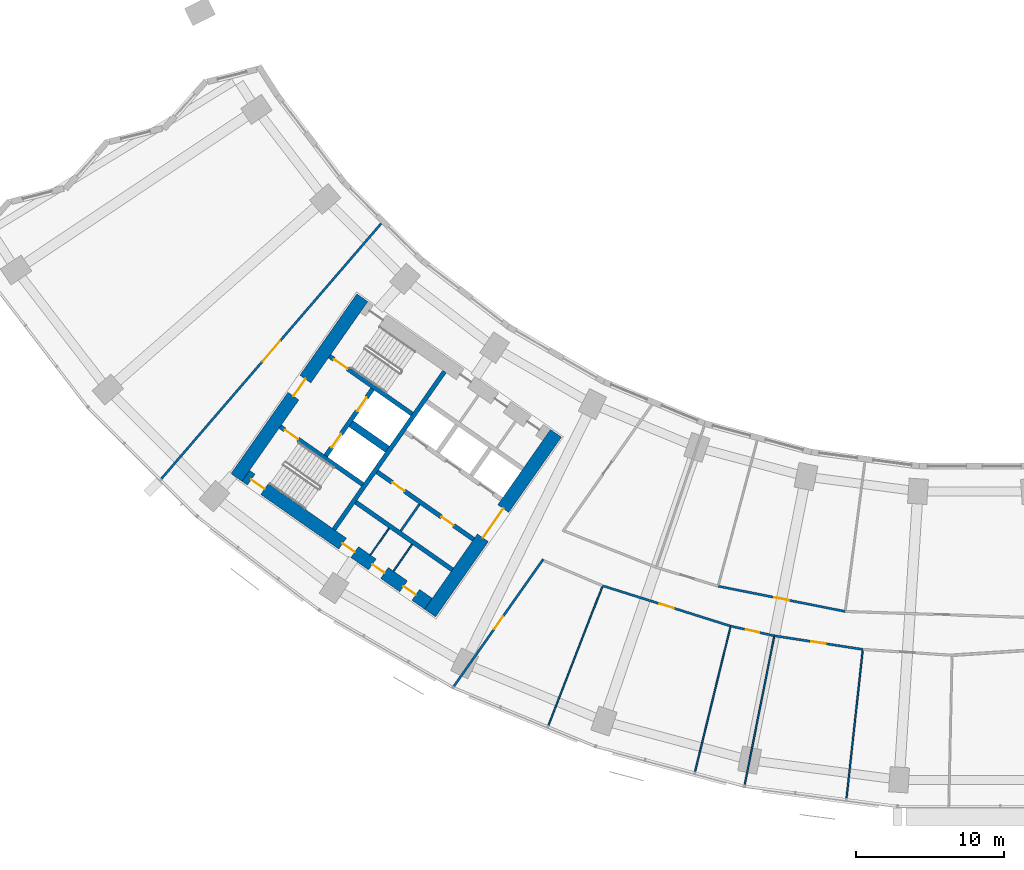
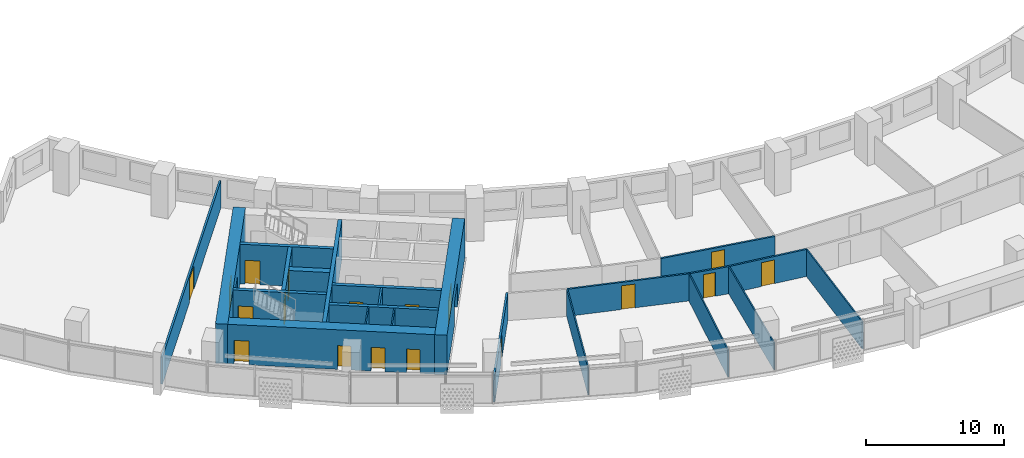
# One storey, part 3 of 31: 23 walls, 18 doors, 18 openings.
"""IFC4 building model written with IfcOpenShell, lengths in metres."""

from ifc_helpers import new_model, si_unit, direction, frame, frame_2d, origin, place, context, subcontext, project, spatial, rectangle, extrude, material, layer, layer_set, type_object, element, fill, save


model = new_model("IFC4")

# Units and contexts
model_context = context("Model", 3, precision=1e-05, world=origin(), true_north=direction((0.0, 1.0)))
body_context = subcontext(model_context, "Body", "Model", "MODEL_VIEW")
ifc_project = project(units=[si_unit("LENGTHUNIT", "METRE"), si_unit("AREAUNIT", "SQUARE_METRE"), si_unit("VOLUMEUNIT", "CUBIC_METRE"), si_unit("PLANEANGLEUNIT", "RADIAN"), si_unit("MASSUNIT", "GRAM", prefix="KILO")], contexts=[model_context])

# Site, building, storey
site_placement = place(None, origin())
site = spatial("IfcSite", under=ifc_project, at=site_placement, CompositionType="ELEMENT")
building_placement = place(site_placement, origin())
building = spatial("IfcBuilding", under=site, at=building_placement, Name="Qamariyya Broadcast Tower", CompositionType="ELEMENT")
storey_placement = place(building_placement, frame((0.0, 0.0, 74.699951171875)))
storey = spatial("IfcBuildingStorey", under=building, at=storey_placement, Name="L15", CompositionType="ELEMENT", Elevation=74.699951171875)

# Wall, opening, door
ifc_material_1 = material(Name="Concrete C70/85", Category="concrete")
ifc_layer_1 = layer(ifc_material_1, 0.89990234375)
ifc_layer_set_1 = layer_set([ifc_layer_1], Name="Core wall 900 mm Concrete C70/85")
wall_type_1 = type_object("IfcWallType", Name="Core wall 900 mm Concrete C70/85", PredefinedType="SHEAR", material=ifc_layer_set_1)
wall_1_placement = place(storey_placement, frame((-36.716796875, -66.3369140625, 0.0), z_axis=(0.0, 0.0, 1.0), x_axis=(0.573577477574, 0.819151315216, 0.0)))
wall_1 = element("IfcWall", 1, at=wall_1_placement, inside=storey, type_object=wall_type_1, Name="k-W-L15-WA", PredefinedType="SHEAR", context=body_context, shape_type="SweptSolid", body=[
    extrude(rectangle(XDim=14.800048828125, YDim=0.89990234375, at=frame_2d((7.39990234375, 0.0))), origin(), (0.0, 0.0, 1.0), 3.5),
])
opening_1_placement = place(wall_1_placement, frame((6.199951171875, 0.0, 0.0)))
opening_1 = element("IfcOpeningElement", 2, at=opening_1_placement, cuts=wall_1, Name="Opening KD3-W1", PredefinedType="OPENING", context=body_context, shape_type="SweptSolid", body=[
    extrude(rectangle(XDim=2.39990234375, YDim=2.10009765625, at=frame_2d((1.199951171875, 1.050048828125))), frame((0.0, 0.4599609375, 0.0), z_axis=(0.0, -1.0, 0.0), x_axis=(1.0, 0.0, 0.0)), (0.0, 0.0, 1.0), 0.919921875),
])
ifc_material_2 = material(Name="Steel fire-resisting door leaf", Category="steel")
door_type_1 = type_object("IfcDoorType", Name="Lift lobby door KD3", OperationType="DOUBLE_DOOR_SINGLE_SWING", PredefinedType="DOOR", material=ifc_material_2)
door_1_placement = place(opening_1_placement, origin())
door_1 = element("IfcDoor", 3, at=door_1_placement, inside=storey, type_object=door_type_1, Name="k-W-L15-WA-D1", OperationType="DOUBLE_DOOR_SINGLE_SWING", OverallHeight=2.10009765625, OverallWidth=2.39990234375, PredefinedType="DOOR", context=body_context, shape_type="SweptSolid", body=[
    extrude(rectangle(XDim=2.39990234375, YDim=2.10009765625, at=frame_2d((1.199951171875, 1.050048828125))), frame((0.0, 0.02490234375, 0.0), z_axis=(0.0, -1.0, 0.0), x_axis=(1.0, 0.0, 0.0)), (0.0, 0.0, 1.0), 0.050048828125),
])
fill(opening_1, door_1)

wall_2_placement = place(storey_placement, frame((-49.778564453125, -57.191162109375, 0.0), z_axis=(0.0, 0.0, 1.0), x_axis=(0.573577477574, 0.819151315216, 0.0)))
wall_2 = element("IfcWall", 4, at=wall_2_placement, inside=storey, type_object=wall_type_1, Name="k-W-L15-WH", PredefinedType="SHEAR", context=body_context, shape_type="SweptSolid", body=[
    extrude(rectangle(XDim=14.800048828125, YDim=0.89990234375, at=frame_2d((7.39990234375, 0.0))), origin(), (0.0, 0.0, 1.0), 3.5),
])
opening_2_placement = place(wall_2_placement, frame((6.699951171875, 0.0, 0.0)))
opening_2 = element("IfcOpeningElement", 5, at=opening_2_placement, cuts=wall_2, Name="Opening KD2-W1", PredefinedType="OPENING", context=body_context, shape_type="SweptSolid", body=[
    extrude(rectangle(XDim=1.39990234375, YDim=2.10009765625, at=frame_2d((0.699951171875, 1.050048828125))), frame((0.0, 0.4599609375, 0.0), z_axis=(0.0, -1.0, 0.0), x_axis=(1.0, 0.0, 0.0)), (0.0, 0.0, 1.0), 0.919921875),
])
door_type_2 = type_object("IfcDoorType", Name="Fire-fighting lobby door KD2", OperationType="DOUBLE_DOOR_SINGLE_SWING", PredefinedType="DOOR", material=ifc_material_2)
door_2_placement = place(opening_2_placement, origin())
door_2 = element("IfcDoor", 6, at=door_2_placement, inside=storey, type_object=door_type_2, Name="k-W-L15-WH-D15", OperationType="DOUBLE_DOOR_SINGLE_SWING", OverallHeight=2.10009765625, OverallWidth=1.39990234375, PredefinedType="DOOR", context=body_context, shape_type="SweptSolid", body=[
    extrude(rectangle(XDim=1.39990234375, YDim=2.10009765625, at=frame_2d((0.699951171875, 1.050048828125))), frame((0.0, 0.02490234375, 0.0), z_axis=(0.0, -1.0, 0.0), x_axis=(1.0, 0.0, 0.0)), (0.0, 0.0, 1.0), 0.050048828125),
])
fill(opening_2, door_2)

# Wall, openings, doors
wall_3_placement = place(storey_placement, frame((-36.827392578125, -65.710205078125, 0.0), z_axis=(0.0, 0.0, 1.0), x_axis=(-0.819153391756, 0.573574511963, 0.0)))
wall_3 = element("IfcWall", 7, at=wall_3_placement, inside=storey, type_object=wall_type_1, Name="k-W-L15-WO", PredefinedType="SHEAR", context=body_context, shape_type="SweptSolid", body=[
    extrude(rectangle(XDim=15.04541015625, YDim=0.89990234375, at=frame_2d((7.522705078125, 0.0))), origin(), (0.0, 0.0, 1.0), 3.5),
])
opening_3_placement = place(wall_3_placement, frame((1.050048828125, 0.0, 0.0)))
opening_3 = element("IfcOpeningElement", 8, at=opening_3_placement, cuts=wall_3, Name="Opening KD4-W2", PredefinedType="OPENING", context=body_context, shape_type="SweptSolid", body=[
    extrude(rectangle(XDim=1.0, YDim=2.10009765625, at=frame_2d((0.5, 1.050048828125))), frame((0.0, 0.4599609375, 0.0), z_axis=(0.0, -1.0, 0.0), x_axis=(1.0, 0.0, 0.0)), (0.0, 0.0, 1.0), 0.919921875),
])
opening_4_placement = place(wall_3_placement, frame((3.625, 0.0, 0.0)))
opening_4 = element("IfcOpeningElement", 9, at=opening_4_placement, cuts=wall_3, Name="Opening KD4-W3", PredefinedType="OPENING", context=body_context, shape_type="SweptSolid", body=[
    extrude(rectangle(XDim=1.0, YDim=2.10009765625, at=frame_2d((0.5, 1.050048828125))), frame((0.0, 0.4599609375, 0.0), z_axis=(0.0, -1.0, 0.0), x_axis=(1.0, 0.0, 0.0)), (0.0, 0.0, 1.0), 0.919921875),
])
opening_5_placement = place(wall_3_placement, frame((6.074951171875, 0.0, 0.0)))
opening_5 = element("IfcOpeningElement", 10, at=opening_5_placement, cuts=wall_3, Name="Opening KD6-W3", PredefinedType="OPENING", context=body_context, shape_type="SweptSolid", body=[
    extrude(rectangle(XDim=1.0, YDim=2.10009765625, at=frame_2d((0.5, 1.050048828125))), frame((0.0, 0.4599609375, 0.0), z_axis=(0.0, -1.0, 0.0), x_axis=(1.0, 0.0, 0.0)), (0.0, 0.0, 1.0), 0.919921875),
])
opening_6_placement = place(wall_3_placement, frame((13.495361328125, 0.0, 0.0)))
opening_6 = element("IfcOpeningElement", 11, at=opening_6_placement, cuts=wall_3, Name="Opening KD1-W3", PredefinedType="OPENING", context=body_context, shape_type="SweptSolid", body=[
    extrude(rectangle(XDim=1.10009765625, YDim=2.10009765625, at=frame_2d((0.550048828125, 1.050048828125))), frame((0.0, 0.4599609375, 0.0), z_axis=(0.0, -1.0, 0.0), x_axis=(1.0, 0.0, 0.0)), (0.0, 0.0, 1.0), 0.919921875),
])
door_type_3 = type_object("IfcDoorType", Name="Core room door KD6", OperationType="SINGLE_SWING_LEFT", PredefinedType="DOOR", material=ifc_material_2)
door_3_placement = place(opening_5_placement, origin())
door_3 = element("IfcDoor", 12, at=door_3_placement, inside=storey, type_object=door_type_3, Name="k-W-L15-WO-D12", OperationType="SINGLE_SWING_LEFT", OverallHeight=2.10009765625, OverallWidth=1.0, PredefinedType="DOOR", context=body_context, shape_type="SweptSolid", body=[
    extrude(rectangle(XDim=1.0, YDim=2.10009765625, at=frame_2d((0.5, 1.050048828125))), frame((0.0, 0.02490234375, 0.0), z_axis=(0.0, -1.0, 0.0), x_axis=(1.0, 0.0, 0.0)), (0.0, 0.0, 1.0), 0.050048828125),
])
fill(opening_5, door_3)
door_type_4 = type_object("IfcDoorType", Name="Riser and plant door KD4", OperationType="SINGLE_SWING_LEFT", PredefinedType="DOOR", material=ifc_material_2)
door_4_placement = place(opening_3_placement, origin())
door_4 = element("IfcDoor", 13, at=door_4_placement, inside=storey, type_object=door_type_4, Name="k-W-L15-WO-D10", OperationType="SINGLE_SWING_LEFT", OverallHeight=2.10009765625, OverallWidth=1.0, PredefinedType="DOOR", context=body_context, shape_type="SweptSolid", body=[
    extrude(rectangle(XDim=1.0, YDim=2.10009765625, at=frame_2d((0.5, 1.050048828125))), frame((0.0, 0.02490234375, 0.0), z_axis=(0.0, -1.0, 0.0), x_axis=(1.0, 0.0, 0.0)), (0.0, 0.0, 1.0), 0.050048828125),
])
fill(opening_3, door_4)
door_5_placement = place(opening_4_placement, origin())
door_5 = element("IfcDoor", 14, at=door_5_placement, inside=storey, type_object=door_type_4, Name="k-W-L15-WO-D11", OperationType="SINGLE_SWING_RIGHT", OverallHeight=2.10009765625, OverallWidth=1.0, PredefinedType="DOOR", context=body_context, shape_type="SweptSolid", body=[
    extrude(rectangle(XDim=1.0, YDim=2.10009765625, at=frame_2d((0.5, 1.050048828125))), frame((0.0, 0.02490234375, 0.0), z_axis=(0.0, -1.0, 0.0), x_axis=(1.0, 0.0, 0.0)), (0.0, 0.0, 1.0), 0.050048828125),
])
fill(opening_4, door_5)
door_type_5 = type_object("IfcDoorType", Name="Stair door KD1", OperationType="SINGLE_SWING_LEFT", PredefinedType="DOOR", material=ifc_material_2)
door_6_placement = place(opening_6_placement, origin())
door_6 = element("IfcDoor", 15, at=door_6_placement, inside=storey, type_object=door_type_5, Name="k-W-L15-WO-D18", OperationType="SINGLE_SWING_LEFT", OverallHeight=2.10009765625, OverallWidth=1.10009765625, PredefinedType="DOOR", context=body_context, shape_type="SweptSolid", body=[
    extrude(rectangle(XDim=1.10009765625, YDim=2.10009765625, at=frame_2d((0.550048828125, 1.050048828125))), frame((0.0, 0.02490234375, 0.0), z_axis=(0.0, -1.0, 0.0), x_axis=(1.0, 0.0, 0.0)), (0.0, 0.0, 1.0), 0.050048828125),
])
fill(opening_6, door_6)

# Wall, opening, door
ifc_material_3 = material(Name="Gypsum board partition")
ifc_layer_2 = layer(ifc_material_3, 0.14990234375)
ifc_layer_set_2 = layer_set([ifc_layer_2], Name="Corridor partition 150 EI 60")
wall_type_2 = type_object("IfcWallType", Name="Corridor partition 150 EI 60", PredefinedType="PARTITIONING", material=ifc_layer_set_2)
wall_4_placement = place(storey_placement, frame((-54.842041015625, -57.27685546875, 0.0), z_axis=(0.0, 0.0, 1.0), x_axis=(0.652471531746, 0.757813235739, 0.0)))
wall_4 = element("IfcWall", 16, at=wall_4_placement, inside=storey, type_object=wall_type_2, Name="Partition L15-001", PredefinedType="PARTITIONING", context=body_context, shape_type="SweptSolid", body=[
    extrude(rectangle(XDim=22.71484375, YDim=0.14990234375, at=frame_2d((11.357421875, 0.0))), origin(), (0.0, 0.0, 1.0), 2.400146484375),
])
opening_7_placement = place(wall_4_placement, frame((10.45751953125, 0.0, 0.0)))
opening_7 = element("IfcOpeningElement", 17, at=opening_7_placement, cuts=wall_4, Name="Opening L15-D16", PredefinedType="OPENING", context=body_context, shape_type="SweptSolid", body=[
    extrude(rectangle(XDim=1.800048828125, YDim=2.10009765625, at=frame_2d((0.89990234375, 1.050048828125))), frame((0.0, 0.0849609375, 0.0), z_axis=(0.0, -1.0, 0.0), x_axis=(1.0, 0.0, 0.0)), (0.0, 0.0, 1.0), 0.169921875),
])
ifc_material_4 = material(Name="Timber fire door leaf", Category="wood")
door_type_6 = type_object("IfcDoorType", Name="Double fire door 1800 x 2100 FD60", OperationType="NOTDEFINED", PredefinedType="DOOR", material=ifc_material_4)
door_7_placement = place(opening_7_placement, origin())
door_7 = element("IfcDoor", 18, at=door_7_placement, inside=storey, type_object=door_type_6, Name="Door L15-D16", OperationType="DOUBLE_DOOR_SINGLE_SWING", OverallHeight=2.10009765625, OverallWidth=1.800048828125, PredefinedType="DOOR", context=body_context, shape_type="SweptSolid", body=[
    extrude(rectangle(XDim=1.800048828125, YDim=2.10009765625, at=frame_2d((0.89990234375, 1.050048828125))), frame((0.0, 0.02490234375, 0.0), z_axis=(0.0, -1.0, 0.0), x_axis=(1.0, 0.0, 0.0)), (0.0, 0.0, 1.0), 0.050048828125),
])
fill(opening_7, door_7)

wall_5_placement = place(storey_placement, frame((-29.087890625, -62.708251953125, 0.0), z_axis=(0.0, 0.0, 1.0), x_axis=(-0.575411972256, -0.817863718589, 0.0)))
wall_5 = element("IfcWall", 19, at=wall_5_placement, inside=storey, type_object=wall_type_2, Name="Partition L15-002", PredefinedType="PARTITIONING", context=body_context, shape_type="SweptSolid", body=[
    extrude(rectangle(XDim=10.471435546875, YDim=0.14990234375, at=frame_2d((5.23583984375, 0.0))), origin(), (0.0, 0.0, 1.0), 2.400146484375),
])
opening_8_placement = place(wall_5_placement, frame((4.735595703125, 0.0, 0.0)))
opening_8 = element("IfcOpeningElement", 20, at=opening_8_placement, cuts=wall_5, Name="Opening L15-D01", PredefinedType="OPENING", context=body_context, shape_type="SweptSolid", body=[
    extrude(rectangle(XDim=1.0, YDim=2.10009765625, at=frame_2d((0.5, 1.050048828125))), frame((0.0, 0.0849609375, 0.0), z_axis=(0.0, -1.0, 0.0), x_axis=(1.0, 0.0, 0.0)), (0.0, 0.0, 1.0), 0.169921875),
])
door_type_7 = type_object("IfcDoorType", Name="Fire door 1000 x 2100 FD60", OperationType="NOTDEFINED", PredefinedType="DOOR", material=ifc_material_4)
door_8_placement = place(opening_8_placement, origin())
door_8 = element("IfcDoor", 21, at=door_8_placement, inside=storey, type_object=door_type_7, Name="Door L15-D01", OperationType="SINGLE_SWING_RIGHT", OverallHeight=2.10009765625, OverallWidth=1.0, PredefinedType="DOOR", context=body_context, shape_type="SweptSolid", body=[
    extrude(rectangle(XDim=1.0, YDim=2.10009765625, at=frame_2d((0.5, 1.050048828125))), frame((0.0, 0.02490234375, 0.0), z_axis=(0.0, -1.0, 0.0), x_axis=(1.0, 0.0, 0.0)), (0.0, 0.0, 1.0), 0.050048828125),
])
fill(opening_8, door_8)

wall_6_placement = place(storey_placement, frame((-16.446044921875, -67.21728515625, 0.0), z_axis=(0.0, 0.0, 1.0), x_axis=(-0.953724416281, 0.300682120834, 0.0)))
wall_6 = element("IfcWall", 22, at=wall_6_placement, inside=storey, type_object=wall_type_2, Name="Partition L15-006", PredefinedType="PARTITIONING", context=body_context, shape_type="SweptSolid", body=[
    extrude(rectangle(XDim=9.0517578125, YDim=0.14990234375, at=frame_2d((4.52587890625, 0.0))), origin(), (0.0, 0.0, 1.0), 2.400146484375),
])
opening_9_placement = place(wall_6_placement, frame((4.02587890625, 0.0, 0.0)))
opening_9 = element("IfcOpeningElement", 23, at=opening_9_placement, cuts=wall_6, Name="Opening L15-D02", PredefinedType="OPENING", context=body_context, shape_type="SweptSolid", body=[
    extrude(rectangle(XDim=1.0, YDim=2.10009765625, at=frame_2d((0.5, 1.050048828125))), frame((0.0, 0.0849609375, 0.0), z_axis=(0.0, -1.0, 0.0), x_axis=(1.0, 0.0, 0.0)), (0.0, 0.0, 1.0), 0.169921875),
])
door_9_placement = place(opening_9_placement, origin())
door_9 = element("IfcDoor", 24, at=door_9_placement, inside=storey, type_object=door_type_7, Name="Door L15-D02", OperationType="SINGLE_SWING_RIGHT", OverallHeight=2.10009765625, OverallWidth=1.0, PredefinedType="DOOR", context=body_context, shape_type="SweptSolid", body=[
    extrude(rectangle(XDim=1.0, YDim=2.10009765625, at=frame_2d((0.5, 1.050048828125))), frame((0.0, 0.02490234375, 0.0), z_axis=(0.0, -1.0, 0.0), x_axis=(1.0, 0.0, 0.0)), (0.0, 0.0, 1.0), 0.050048828125),
])
fill(opening_9, door_9)

wall_7_placement = place(storey_placement, frame((-17.2890625, -64.52392578125, 0.0), z_axis=(0.0, 0.0, 1.0), x_axis=(0.980786466832, -0.195084357342, 0.0)))
wall_7 = element("IfcWall", 25, at=wall_7_placement, inside=storey, type_object=wall_type_2, Name="Partition L15-011", PredefinedType="PARTITIONING", context=body_context, shape_type="SweptSolid", body=[
    extrude(rectangle(XDim=8.73779296875, YDim=0.14990234375, at=frame_2d((4.368896484375, 0.0))), origin(), (0.0, 0.0, 1.0), 2.400146484375),
])
opening_10_placement = place(wall_7_placement, frame((3.868896484375, 0.0, 0.0)))
opening_10 = element("IfcOpeningElement", 26, at=opening_10_placement, cuts=wall_7, Name="Opening L15-D12", PredefinedType="OPENING", context=body_context, shape_type="SweptSolid", body=[
    extrude(rectangle(XDim=1.0, YDim=2.10009765625, at=frame_2d((0.5, 1.050048828125))), frame((0.0, 0.0849609375, 0.0), z_axis=(0.0, -1.0, 0.0), x_axis=(1.0, 0.0, 0.0)), (0.0, 0.0, 1.0), 0.169921875),
])
door_10_placement = place(opening_10_placement, origin())
door_10 = element("IfcDoor", 27, at=door_10_placement, inside=storey, type_object=door_type_7, Name="Door L15-D12", OperationType="SINGLE_SWING_RIGHT", OverallHeight=2.10009765625, OverallWidth=1.0, PredefinedType="DOOR", context=body_context, shape_type="SweptSolid", body=[
    extrude(rectangle(XDim=1.0, YDim=2.10009765625, at=frame_2d((0.5, 1.050048828125))), frame((0.0, 0.02490234375, 0.0), z_axis=(0.0, -1.0, 0.0), x_axis=(1.0, 0.0, 0.0)), (0.0, 0.0, 1.0), 0.050048828125),
])
fill(opening_10, door_10)

wall_8_placement = place(storey_placement, frame((-13.500244140625, -67.870361328125, 0.0), z_axis=(0.0, 0.0, 1.0), x_axis=(-0.976295456563, 0.216442097324, 0.0)))
wall_8 = element("IfcWall", 28, at=wall_8_placement, inside=storey, type_object=wall_type_2, Name="Partition L15-012", PredefinedType="PARTITIONING", context=body_context, shape_type="SweptSolid", body=[
    extrude(rectangle(XDim=3.017333984375, YDim=0.14990234375, at=frame_2d((1.5087890625, 0.0))), origin(), (0.0, 0.0, 1.0), 2.400146484375),
])
opening_11_placement = place(wall_8_placement, frame((1.05859375, 0.0, 0.0)))
opening_11 = element("IfcOpeningElement", 29, at=opening_11_placement, cuts=wall_8, Name="Opening L15-D03", PredefinedType="OPENING", context=body_context, shape_type="SweptSolid", body=[
    extrude(rectangle(XDim=0.89990234375, YDim=2.10009765625, at=frame_2d((0.449951171875, 1.050048828125))), frame((0.0, 0.0849609375, 0.0), z_axis=(0.0, -1.0, 0.0), x_axis=(1.0, 0.0, 0.0)), (0.0, 0.0, 1.0), 0.169921875),
])
door_type_8 = type_object("IfcDoorType", Name="Fire door 900 x 2100 FD60", OperationType="NOTDEFINED", PredefinedType="DOOR", material=ifc_material_4)
door_11_placement = place(opening_11_placement, origin())
door_11 = element("IfcDoor", 30, at=door_11_placement, inside=storey, type_object=door_type_8, Name="Door L15-D03", OperationType="SINGLE_SWING_RIGHT", OverallHeight=2.10009765625, OverallWidth=0.89990234375, PredefinedType="DOOR", context=body_context, shape_type="SweptSolid", body=[
    extrude(rectangle(XDim=0.89990234375, YDim=2.10009765625, at=frame_2d((0.449951171875, 1.050048828125))), frame((0.0, 0.02490234375, 0.0), z_axis=(0.0, -1.0, 0.0), x_axis=(1.0, 0.0, 0.0)), (0.0, 0.0, 1.0), 0.050048828125),
])
fill(opening_11, door_11)

wall_9_placement = place(storey_placement, frame((-7.53173828125, -68.788818359375, 0.0), z_axis=(0.0, 0.0, 1.0), x_axis=(-0.98836608834, 0.152093640297, 0.0)))
wall_9 = element("IfcWall", 31, at=wall_9_placement, inside=storey, type_object=wall_type_2, Name="Partition L15-015", PredefinedType="PARTITIONING", context=body_context, shape_type="SweptSolid", body=[
    extrude(rectangle(XDim=6.038818359375, YDim=0.14990234375, at=frame_2d((3.01953125, 0.0))), origin(), (0.0, 0.0, 1.0), 2.400146484375),
])
opening_12_placement = place(wall_9_placement, frame((2.51953125, 0.0, 0.0)))
opening_12 = element("IfcOpeningElement", 32, at=opening_12_placement, cuts=wall_9, Name="Opening L15-D04", PredefinedType="OPENING", context=body_context, shape_type="SweptSolid", body=[
    extrude(rectangle(XDim=1.0, YDim=2.10009765625, at=frame_2d((0.5, 1.050048828125))), frame((0.0, 0.0849609375, 0.0), z_axis=(0.0, -1.0, 0.0), x_axis=(1.0, 0.0, 0.0)), (0.0, 0.0, 1.0), 0.169921875),
])
door_12_placement = place(opening_12_placement, origin())
door_12 = element("IfcDoor", 33, at=door_12_placement, inside=storey, type_object=door_type_7, Name="Door L15-D04", OperationType="SINGLE_SWING_RIGHT", OverallHeight=2.10009765625, OverallWidth=1.0, PredefinedType="DOOR", context=body_context, shape_type="SweptSolid", body=[
    extrude(rectangle(XDim=1.0, YDim=2.10009765625, at=frame_2d((0.5, 1.050048828125))), frame((0.0, 0.02490234375, 0.0), z_axis=(0.0, -1.0, 0.0), x_axis=(1.0, 0.0, 0.0)), (0.0, 0.0, 1.0), 0.050048828125),
])
fill(opening_12, door_12)

# Walls
ifc_material_5 = material(Name="Concrete C60/75", Category="concrete")
ifc_layer_3 = layer(ifc_material_5, 0.5)
ifc_layer_set_3 = layer_set([ifc_layer_3], Name="Fire-fighting lobby divider wall 500 mm Concrete C60/75")
wall_type_3 = type_object("IfcWallType", Name="Fire-fighting lobby divider wall 500 mm Concrete C60/75", PredefinedType="SOLIDWALL", material=ifc_layer_set_3)
wall_10_placement = place(storey_placement, frame((-39.59912109375, -55.28515625, 0.0), z_axis=(0.0, 0.0, 1.0), x_axis=(-0.819136323161, 0.573598887793, 0.0)))
element("IfcWall", 34, at=wall_10_placement, inside=storey, type_object=wall_type_3, Name="k-W-L15-FD", PredefinedType="SOLIDWALL", context=body_context, shape_type="SweptSolid", body=[
    extrude(rectangle(XDim=2.999755859375, YDim=0.5, at=frame_2d((1.5, 0.0))), origin(), (0.0, 0.0, 1.0), 3.5),
])
ifc_material_6 = material(Name="Gypsum board partition on steel studs", Category="steel")
ifc_layer_4 = layer(ifc_material_6, 0.14990234375)
ifc_layer_set_4 = layer_set([ifc_layer_4], Name="Gypsum board partition 150 mm")
wall_type_4 = type_object("IfcWallType", Name="Gypsum board partition 150 mm", PredefinedType="PARTITIONING", material=ifc_layer_set_4)
wall_11_placement = place(storey_placement, frame((-37.436767578125, -58.99658203125, 0.0), z_axis=(0.0, 0.0, 1.0), x_axis=(-0.573559170999, -0.819164133348, 0.0)))
element("IfcWall", 35, at=wall_11_placement, inside=storey, type_object=wall_type_4, Name="k-W-L15-SC435", PredefinedType="PARTITIONING", context=body_context, shape_type="SweptSolid", body=[
    extrude(rectangle(XDim=2.19970703125, YDim=0.14990234375, at=frame_2d((1.099853515625, 0.0))), origin(), (0.0, 0.0, 1.0), 3.5),
])
ifc_layer_5 = layer(ifc_material_5, 0.300048828125)
ifc_layer_set_5 = layer_set([ifc_layer_5], Name="Lift shaft wall 300 mm Concrete C60/75")
wall_type_5 = type_object("IfcWallType", Name="Lift shaft wall 300 mm Concrete C60/75", PredefinedType="SOLIDWALL", material=ifc_layer_set_5)
wall_12_placement = place(storey_placement, frame((-43.204345703125, -60.69580078125, 0.0), z_axis=(0.0, 0.0, 1.0), x_axis=(0.573571992966, 0.819155155563, 0.0)))
element("IfcWall", 36, at=wall_12_placement, inside=storey, type_object=wall_type_5, Name="k-W-L15-WL", PredefinedType="SOLIDWALL", context=body_context, shape_type="SweptSolid", body=[
    extrude(rectangle(XDim=13.000244140625, YDim=0.300048828125, at=frame_2d((6.5, 0.0))), origin(), (0.0, 0.0, 1.0), 3.5),
])

# Wall, openings, doors
wall_13_placement = place(storey_placement, frame((-33.787353515625, -61.368896484375, 0.0), z_axis=(0.0, 0.0, 1.0), x_axis=(-0.819152564888, 0.573575692858, 0.0)))
wall_13 = element("IfcWall", 37, at=wall_13_placement, inside=storey, type_object=wall_type_5, Name="k-W-L15-SF0", PredefinedType="SOLIDWALL", context=body_context, shape_type="SweptSolid", body=[
    extrude(rectangle(XDim=7.9501953125, YDim=0.300048828125, at=frame_2d((3.97509765625, 0.0))), origin(), (0.0, 0.0, 1.0), 3.5),
])
opening_13_placement = place(wall_13_placement, frame((1.637451171875, 0.0, 0.0)))
opening_13 = element("IfcOpeningElement", 38, at=opening_13_placement, cuts=wall_13, Name="Opening KD4-W1", PredefinedType="OPENING", context=body_context, shape_type="SweptSolid", body=[
    extrude(rectangle(XDim=1.0, YDim=2.10009765625, at=frame_2d((0.5, 1.050048828125))), frame((0.0, 0.159912109375, 0.0), z_axis=(0.0, -1.0, 0.0), x_axis=(1.0, 0.0, 0.0)), (0.0, 0.0, 1.0), 0.320068359375),
])
opening_14_placement = place(wall_13_placement, frame((5.6875, 0.0, 0.0)))
opening_14 = element("IfcOpeningElement", 39, at=opening_14_placement, cuts=wall_13, Name="Opening KD6-W1", PredefinedType="OPENING", context=body_context, shape_type="SweptSolid", body=[
    extrude(rectangle(XDim=1.0, YDim=2.10009765625, at=frame_2d((0.5, 1.050048828125))), frame((0.0, 0.159912109375, 0.0), z_axis=(0.0, -1.0, 0.0), x_axis=(1.0, 0.0, 0.0)), (0.0, 0.0, 1.0), 0.320068359375),
])
door_13_placement = place(opening_14_placement, origin())
door_13 = element("IfcDoor", 40, at=door_13_placement, inside=storey, type_object=door_type_3, Name="k-W-L15-SF0-D6", OperationType="SINGLE_SWING_LEFT", OverallHeight=2.10009765625, OverallWidth=1.0, PredefinedType="DOOR", context=body_context, shape_type="SweptSolid", body=[
    extrude(rectangle(XDim=1.0, YDim=2.10009765625, at=frame_2d((0.5, 1.050048828125))), frame((0.0, 0.02490234375, 0.0), z_axis=(0.0, -1.0, 0.0), x_axis=(1.0, 0.0, 0.0)), (0.0, 0.0, 1.0), 0.050048828125),
])
fill(opening_14, door_13)
door_14_placement = place(opening_13_placement, origin())
door_14 = element("IfcDoor", 41, at=door_14_placement, inside=storey, type_object=door_type_4, Name="k-W-L15-SF0-D5", OperationType="SINGLE_SWING_RIGHT", OverallHeight=2.10009765625, OverallWidth=1.0, PredefinedType="DOOR", context=body_context, shape_type="SweptSolid", body=[
    extrude(rectangle(XDim=1.0, YDim=2.10009765625, at=frame_2d((0.5, 1.050048828125))), frame((0.0, 0.02490234375, 0.0), z_axis=(0.0, -1.0, 0.0), x_axis=(1.0, 0.0, 0.0)), (0.0, 0.0, 1.0), 0.050048828125),
])
fill(opening_13, door_14)

# Wall
wall_14_placement = place(storey_placement, frame((-35.22119140625, -63.41650390625, 0.0), z_axis=(0.0, 0.0, 1.0), x_axis=(-0.819166993208, 0.573555086491, 0.0)))
element("IfcWall", 42, at=wall_14_placement, inside=storey, type_object=wall_type_5, Name="k-W-L15-SB0", PredefinedType="SOLIDWALL", context=body_context, shape_type="SweptSolid", body=[
    extrude(rectangle(XDim=7.9501953125, YDim=0.300048828125, at=frame_2d((3.97509765625, 0.0))), origin(), (0.0, 0.0, 1.0), 3.5),
])

# Wall, opening, door
wall_15_placement = place(storey_placement, frame((-37.935546875, -52.90966796875, 0.0), z_axis=(0.0, 0.0, 1.0), x_axis=(-0.819147518138, 0.57358290031, 0.0)))
wall_15 = element("IfcWall", 43, at=wall_15_placement, inside=storey, type_object=wall_type_5, Name="k-W-L15-NW", PredefinedType="SOLIDWALL", context=body_context, shape_type="SweptSolid", body=[
    extrude(rectangle(XDim=6.79541015625, YDim=0.300048828125, at=frame_2d((3.397705078125, 0.0))), origin(), (0.0, 0.0, 1.0), 3.5),
])
opening_15_placement = place(wall_15_placement, frame((5.3203125, 0.0, 0.0)))
opening_15 = element("IfcOpeningElement", 44, at=opening_15_placement, cuts=wall_15, Name="Opening KD1-W2", PredefinedType="OPENING", context=body_context, shape_type="SweptSolid", body=[
    extrude(rectangle(XDim=1.10009765625, YDim=2.10009765625, at=frame_2d((0.550048828125, 1.050048828125))), frame((0.0, 0.159912109375, 0.0), z_axis=(0.0, -1.0, 0.0), x_axis=(1.0, 0.0, 0.0)), (0.0, 0.0, 1.0), 0.320068359375),
])
door_15_placement = place(opening_15_placement, origin())
door_15 = element("IfcDoor", 45, at=door_15_placement, inside=storey, type_object=door_type_5, Name="k-W-L15-NW-D17", OperationType="SINGLE_SWING_RIGHT", OverallHeight=2.10009765625, OverallWidth=1.10009765625, PredefinedType="DOOR", context=body_context, shape_type="SweptSolid", body=[
    extrude(rectangle(XDim=1.10009765625, YDim=2.10009765625, at=frame_2d((0.550048828125, 1.050048828125))), frame((0.0, 0.02490234375, 0.0), z_axis=(0.0, -1.0, 0.0), x_axis=(1.0, 0.0, 0.0)), (0.0, 0.0, 1.0), 0.050048828125),
])
fill(opening_15, door_15)

wall_16_placement = place(storey_placement, frame((-41.262451171875, -57.66064453125, 0.0), z_axis=(0.0, 0.0, 1.0), x_axis=(-0.819164398642, 0.573558792102, 0.0)))
wall_16 = element("IfcWall", 46, at=wall_16_placement, inside=storey, type_object=wall_type_5, Name="k-W-L15-SW", PredefinedType="SOLIDWALL", context=body_context, shape_type="SweptSolid", body=[
    extrude(rectangle(XDim=6.795166015625, YDim=0.300048828125, at=frame_2d((3.3974609375, 0.0))), origin(), (0.0, 0.0, 1.0), 3.5),
])
opening_16_placement = place(wall_16_placement, frame((5.3203125, 0.0, 0.0)))
opening_16 = element("IfcOpeningElement", 47, at=opening_16_placement, cuts=wall_16, Name="Opening KD1-W4", PredefinedType="OPENING", context=body_context, shape_type="SweptSolid", body=[
    extrude(rectangle(XDim=1.10009765625, YDim=2.10009765625, at=frame_2d((0.550048828125, 1.050048828125))), frame((0.0, 0.159912109375, 0.0), z_axis=(0.0, -1.0, 0.0), x_axis=(1.0, 0.0, 0.0)), (0.0, 0.0, 1.0), 0.320068359375),
])
door_16_placement = place(opening_16_placement, origin())
door_16 = element("IfcDoor", 48, at=door_16_placement, inside=storey, type_object=door_type_5, Name="k-W-L15-SW-D19", OperationType="SINGLE_SWING_RIGHT", OverallHeight=2.10009765625, OverallWidth=1.10009765625, PredefinedType="DOOR", context=body_context, shape_type="SweptSolid", body=[
    extrude(rectangle(XDim=1.10009765625, YDim=2.10009765625, at=frame_2d((0.550048828125, 1.050048828125))), frame((0.0, 0.02490234375, 0.0), z_axis=(0.0, -1.0, 0.0), x_axis=(1.0, 0.0, 0.0)), (0.0, 0.0, 1.0), 0.050048828125),
])
fill(opening_16, door_16)

# Wall, openings, doors
wall_17_placement = place(storey_placement, frame((-43.756591796875, -55.731201171875, 0.0), z_axis=(0.0, 0.0, 1.0), x_axis=(0.573536818435, 0.819179783625, 0.0)))
wall_17 = element("IfcWall", 49, at=wall_17_placement, inside=storey, type_object=wall_type_5, Name="k-W-L15-FF", PredefinedType="SOLIDWALL", context=body_context, shape_type="SweptSolid", body=[
    extrude(rectangle(XDim=5.500244140625, YDim=0.300048828125, at=frame_2d((2.75, 0.0))), origin(), (0.0, 0.0, 1.0), 3.5),
])
opening_17_placement = place(wall_17_placement, frame((0.699951171875, 0.0, 0.0)))
opening_17 = element("IfcOpeningElement", 50, at=opening_17_placement, cuts=wall_17, Name="Opening LD", PredefinedType="OPENING", context=body_context, shape_type="SweptSolid", body=[
    extrude(rectangle(XDim=1.10009765625, YDim=2.10009765625, at=frame_2d((0.550048828125, 1.050048828125))), frame((0.0, 0.159912109375, 0.0), z_axis=(0.0, -1.0, 0.0), x_axis=(1.0, 0.0, 0.0)), (0.0, 0.0, 1.0), 0.320068359375),
])
opening_18_placement = place(wall_17_placement, frame((3.699951171875, 0.0, 0.0)))
opening_18 = element("IfcOpeningElement", 51, at=opening_18_placement, cuts=wall_17, Name="Opening LD", PredefinedType="OPENING", context=body_context, shape_type="SweptSolid", body=[
    extrude(rectangle(XDim=1.10009765625, YDim=2.10009765625, at=frame_2d((0.550048828125, 1.050048828125))), frame((0.0, 0.159912109375, 0.0), z_axis=(0.0, -1.0, 0.0), x_axis=(1.0, 0.0, 0.0)), (0.0, 0.0, 1.0), 0.320068359375),
])
door_type_9 = type_object("IfcDoorType", Name="Lift landing door LD", OperationType="DOUBLE_DOOR_SLIDING", PredefinedType="DOOR", material=ifc_material_2)
door_17_placement = place(opening_17_placement, origin())
door_17 = element("IfcDoor", 52, at=door_17_placement, inside=storey, type_object=door_type_9, Name="k-W-L15-FF-D13", OperationType="DOUBLE_DOOR_SLIDING", OverallHeight=2.10009765625, OverallWidth=1.10009765625, PredefinedType="DOOR", context=body_context, shape_type="SweptSolid", body=[
    extrude(rectangle(XDim=1.10009765625, YDim=2.10009765625, at=frame_2d((0.550048828125, 1.050048828125))), frame((0.0, 0.02490234375, 0.0), z_axis=(0.0, -1.0, 0.0), x_axis=(1.0, 0.0, 0.0)), (0.0, 0.0, 1.0), 0.050048828125),
])
fill(opening_17, door_17)
door_18_placement = place(opening_18_placement, origin())
door_18 = element("IfcDoor", 53, at=door_18_placement, inside=storey, type_object=door_type_9, Name="k-W-L15-FF-D14", OperationType="DOUBLE_DOOR_SLIDING", OverallHeight=2.10009765625, OverallWidth=1.10009765625, PredefinedType="DOOR", context=body_context, shape_type="SweptSolid", body=[
    extrude(rectangle(XDim=1.10009765625, YDim=2.10009765625, at=frame_2d((0.550048828125, 1.050048828125))), frame((0.0, 0.02490234375, 0.0), z_axis=(0.0, -1.0, 0.0), x_axis=(1.0, 0.0, 0.0)), (0.0, 0.0, 1.0), 0.050048828125),
])
fill(opening_18, door_18)

# Walls
ifc_layer_6 = layer(ifc_material_3, 0.10009765625)
ifc_layer_set_6 = layer_set([ifc_layer_6], Name="Partition 100")
wall_type_6 = type_object("IfcWallType", Name="Partition 100", PredefinedType="PARTITIONING", material=ifc_layer_set_6)
wall_18_placement = place(storey_placement, frame((-28.73876953125, -73.907470703125, 0.0), z_axis=(0.0, 0.0, 1.0), x_axis=(0.362407472517, 0.932019755082, 0.0)))
element("IfcWall", 54, at=wall_18_placement, inside=storey, type_object=wall_type_6, Name="Partition L15-004", PredefinedType="PARTITIONING", context=body_context, shape_type="SweptSolid", body=[
    extrude(rectangle(XDim=10.0234375, YDim=0.10009765625, at=frame_2d((5.01171875, 0.0))), origin(), (0.0, 0.0, 1.0), 2.400146484375),
])
wall_19_placement = place(storey_placement, frame((-18.845947265625, -77.0263671875, 0.0), z_axis=(0.0, 0.0, 1.0), x_axis=(0.237655344985, 0.971349544191, 0.0)))
element("IfcWall", 55, at=wall_19_placement, inside=storey, type_object=wall_type_6, Name="Partition L15-009", PredefinedType="PARTITIONING", context=body_context, shape_type="SweptSolid", body=[
    extrude(rectangle(XDim=10.023193359375, YDim=0.10009765625, at=frame_2d((5.01171875, 0.0))), origin(), (0.0, 0.0, 1.0), 2.400146484375),
])
wall_20_placement = place(storey_placement, frame((-15.5, -77.92333984375, 0.0), z_axis=(0.0, 0.0, 1.0), x_axis=(0.195096278525, 0.980784095561, 0.0)))
element("IfcWall", 56, at=wall_20_placement, inside=storey, type_object=wall_type_6, Name="Partition L15-013", PredefinedType="PARTITIONING", context=body_context, shape_type="SweptSolid", body=[
    extrude(rectangle(XDim=10.175048828125, YDim=0.10009765625, at=frame_2d((5.08740234375, 0.0))), origin(), (0.0, 0.0, 1.0), 2.400146484375),
])
wall_21_placement = place(storey_placement, frame((-8.630859375, -78.827392578125, 0.0), z_axis=(0.0, 0.0, 1.0), x_axis=(0.108851448718, 0.994058027538, 0.0)))
element("IfcWall", 57, at=wall_21_placement, inside=storey, type_object=wall_type_6, Name="Partition L15-017", PredefinedType="PARTITIONING", context=body_context, shape_type="SweptSolid", body=[
    extrude(rectangle(XDim=10.0234375, YDim=0.10009765625, at=frame_2d((5.01171875, 0.0))), origin(), (0.0, 0.0, 1.0), 2.400146484375),
])
ifc_material_7 = material(Name="Fire-rated gypsum shaft liner on steel studs", Category="steel")
ifc_layer_7 = layer(ifc_material_7, 0.10009765625)
ifc_layer_set_7 = layer_set([ifc_layer_7], Name="Riser wall 100 mm")
wall_type_7 = type_object("IfcWallType", Name="Riser wall 100 mm", PredefinedType="PLUMBINGWALL", material=ifc_layer_set_7)
wall_22_placement = place(storey_placement, frame((-37.9287109375, -61.7041015625, 0.0), z_axis=(0.0, 0.0, 1.0), x_axis=(-0.573559170999, -0.819164133348, 0.0)))
element("IfcWall", 58, at=wall_22_placement, inside=storey, type_object=wall_type_7, Name="k-W-L15-SP320", PredefinedType="PLUMBINGWALL", context=body_context, shape_type="SweptSolid", body=[
    extrude(rectangle(XDim=2.19970703125, YDim=0.10009765625, at=frame_2d((1.099853515625, 0.0))), origin(), (0.0, 0.0, 1.0), 3.5),
])
wall_23_placement = place(storey_placement, frame((-39.485107421875, -60.6142578125, 0.0), z_axis=(0.0, 0.0, 1.0), x_axis=(-0.573507030513, -0.819200638399, 0.0)))
element("IfcWall", 59, at=wall_23_placement, inside=storey, type_object=wall_type_7, Name="k-W-L15-SP510", PredefinedType="PLUMBINGWALL", context=body_context, shape_type="SweptSolid", body=[
    extrude(rectangle(XDim=2.199951171875, YDim=0.10009765625, at=frame_2d((1.10009765625, 0.0))), origin(), (0.0, 0.0, 1.0), 3.5),
])

save(model, "model.ifc")
